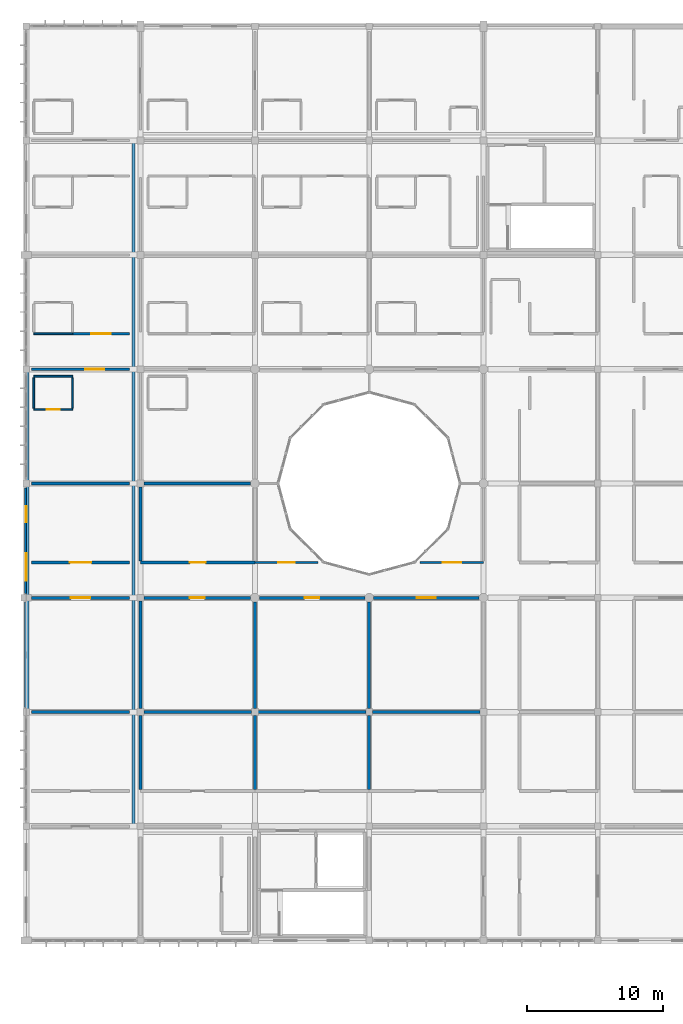
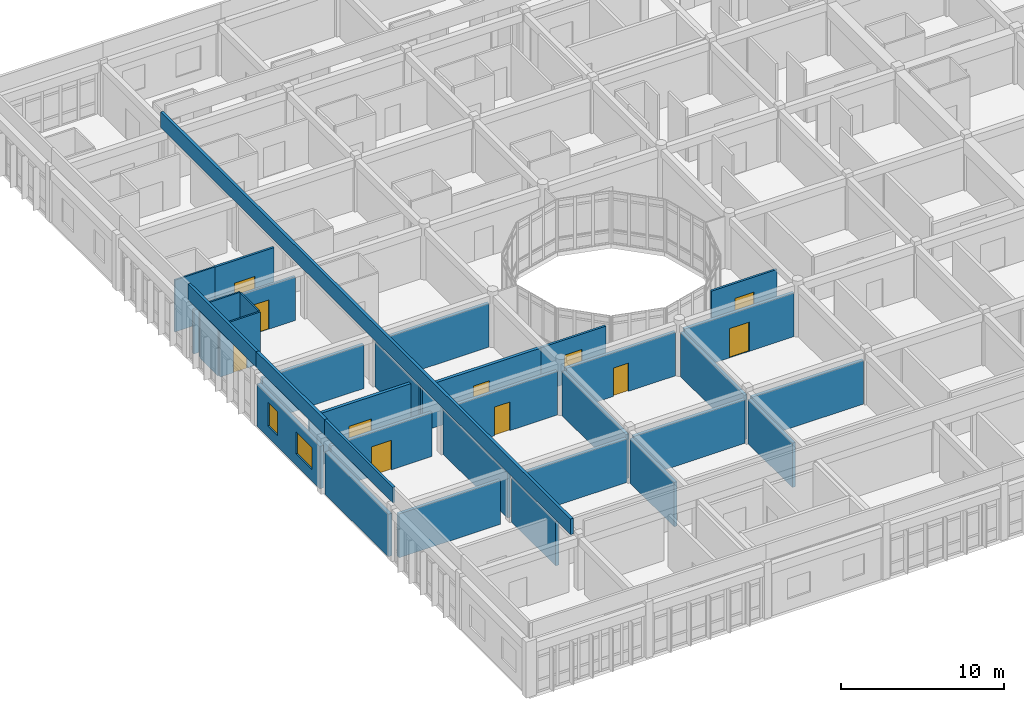
# One storey, part 83 of 119: 34 walls, 11 doors, 2 windows, 13 openings.
"""IFC4 building model written with IfcOpenShell, lengths in metres."""

from ifc_helpers import new_model, si_unit, direction, frame, frame_2d, origin, place, context, subcontext, project, spatial, rectangle, extrude, material, layer, layer_set, type_object, element, fill, save


model = new_model("IFC4")

# Units and contexts
model_context = context("Model", 3, precision=1e-05, world=origin(), true_north=direction((0.0, 1.0)))
body_context = subcontext(model_context, "Body", "Model", "MODEL_VIEW")
ifc_project = project(units=[si_unit("LENGTHUNIT", "METRE"), si_unit("AREAUNIT", "SQUARE_METRE"), si_unit("VOLUMEUNIT", "CUBIC_METRE"), si_unit("PLANEANGLEUNIT", "RADIAN"), si_unit("MASSUNIT", "GRAM", prefix="KILO")], contexts=[model_context])

# Site, building, storey
site_placement = place(None, origin())
site = spatial("IfcSite", under=ifc_project, at=site_placement, CompositionType="ELEMENT")
building_placement = place(site_placement, origin())
building = spatial("IfcBuilding", under=site, at=building_placement, Name="Bramfleet General Hospital", CompositionType="ELEMENT")
storey_placement = place(building_placement, frame((0.0, 0.0, 14.39990234375)))
storey = spatial("IfcBuildingStorey", under=building, at=storey_placement, Name="L03", CompositionType="ELEMENT", Elevation=14.39990234375)

# Wall
ifc_material_1 = material(Name="Precast concrete C40/50", Category="concrete")
ifc_layer_1 = layer(ifc_material_1, 0.280029296875, Name="WT-EW-06")
ifc_layer_set_1 = layer_set([ifc_layer_1], Name="Precast concrete C40/50")
wall_type_1 = type_object("IfcWallType", Name="WT-EW-06", PredefinedType="SOLIDWALL", material=ifc_layer_set_1)
wall_1_placement = place(storey_placement, frame((0.0, 67.52490234375, 0.0), z_axis=(0.0, 0.0, 1.0), x_axis=(0.0, 1.0, 0.0)))
element("IfcWall", 1, at=wall_1_placement, inside=storey, type_object=wall_type_1, Name="L03 Exterior Wall 235", PredefinedType="SOLIDWALL", context=body_context, shape_type="SweptSolid", body=[
    extrude(rectangle(XDim=7.75, YDim=0.280029296875, at=frame_2d((3.875, 0.0))), origin(), (0.0, 0.0, 1.0), 3.190185546875),
])

# Wall, openings, windows
ifc_layer_2 = layer(ifc_material_1, 0.264892578125, Name="WT-EW-07")
ifc_layer_set_2 = layer_set([ifc_layer_2], Name="Precast concrete C40/50")
wall_type_2 = type_object("IfcWallType", Name="WT-EW-07", PredefinedType="SOLIDWALL", material=ifc_layer_set_2)
wall_2_placement = place(storey_placement, frame((0.0, 75.925048828125, 0.0), z_axis=(0.0, 0.0, 1.0), x_axis=(0.0, 1.0, 0.0)))
wall_2 = element("IfcWall", 2, at=wall_2_placement, inside=storey, type_object=wall_type_2, Name="L03 Exterior Wall 236", PredefinedType="SOLIDWALL", context=body_context, shape_type="SweptSolid", body=[
    extrude(rectangle(XDim=7.75, YDim=0.264892578125, at=frame_2d((3.875, 0.0))), origin(), (0.0, 0.0, 1.0), 3.190185546875),
])
opening_1_placement = place(wall_2_placement, frame((0.9375, 0.0, 0.85009765625)))
opening_1 = element("IfcOpeningElement", 3, at=opening_1_placement, cuts=wall_2, Name="Opening W-40", PredefinedType="OPENING", context=body_context, shape_type="SweptSolid", body=[
    extrude(rectangle(XDim=2.0, YDim=1.659912109375, at=frame_2d((1.0, 0.830078125))), frame((0.0, 0.142333984375, 0.0), z_axis=(0.0, -1.0, 0.0), x_axis=(1.0, 0.0, 0.0)), (0.0, 0.0, 1.0), 0.284912109375),
])
opening_2_placement = place(wall_2_placement, frame((5.237548828125, 0.0, 0.85009765625)))
opening_2 = element("IfcOpeningElement", 4, at=opening_2_placement, cuts=wall_2, Name="Opening W-41", PredefinedType="OPENING", context=body_context, shape_type="SweptSolid", body=[
    extrude(rectangle(XDim=1.14990234375, YDim=1.780029296875, at=frame_2d((0.574951171875, 0.89013671875))), frame((0.0, 0.142333984375, 0.0), z_axis=(0.0, -1.0, 0.0), x_axis=(1.0, 0.0, 0.0)), (0.0, 0.0, 1.0), 0.284912109375),
])
ifc_material_2 = material(Name="Anodised aluminium and low-E triple glazing", Category="aluminium")
window_type_1 = type_object("IfcWindowType", Name="WIN-W-40", PartitioningType="SINGLE_PANEL", PredefinedType="WINDOW", material=ifc_material_2)
window_1_placement = place(opening_1_placement, origin())
window_1 = element("IfcWindow", 5, at=window_1_placement, inside=storey, type_object=window_type_1, Name="L03 Facade Window WIN-L03-236-1", OverallHeight=1.659912109375, OverallWidth=2.0, PartitioningType="SINGLE_PANEL", PredefinedType="WINDOW", context=body_context, shape_type="SweptSolid", body=[
    extrude(rectangle(XDim=2.0, YDim=1.659912109375, at=frame_2d((1.0, 0.830078125))), frame((0.0, 0.030029296875, 0.0), z_axis=(0.0, -1.0, 0.0), x_axis=(1.0, 0.0, 0.0)), (0.0, 0.0, 1.0), 0.06005859375),
])
fill(opening_1, window_1)
window_type_2 = type_object("IfcWindowType", Name="WIN-W-41", PartitioningType="SINGLE_PANEL", PredefinedType="WINDOW", material=ifc_material_2)
window_2_placement = place(opening_2_placement, origin())
window_2 = element("IfcWindow", 6, at=window_2_placement, inside=storey, type_object=window_type_2, Name="L03 Facade Window WIN-L03-236-2", OverallHeight=1.780029296875, OverallWidth=1.14990234375, PartitioningType="SINGLE_PANEL", PredefinedType="WINDOW", context=body_context, shape_type="SweptSolid", body=[
    extrude(rectangle(XDim=1.14990234375, YDim=1.780029296875, at=frame_2d((0.574951171875, 0.89013671875))), frame((0.0, 0.030029296875, 0.0), z_axis=(0.0, -1.0, 0.0), x_axis=(1.0, 0.0, 0.0)), (0.0, 0.0, 1.0), 0.06005859375),
])
fill(opening_2, window_2)

# Walls
ifc_material_3 = material(Name="Concrete C35/45", Category="concrete")
ifc_layer_3 = layer(ifc_material_3, 0.219970703125, Name="WT-IW-01")
ifc_layer_set_3 = layer_set([ifc_layer_3], Name="Concrete C35/45")
wall_type_3 = type_object("IfcWallType", Name="WT-IW-01", PredefinedType="PARTITIONING", material=ifc_layer_set_3)
wall_3_placement = place(storey_placement, frame((0.382568359375, 67.199951171875, 0.0), z_axis=(0.0, 0.0, 1.0), x_axis=(1.0, 0.0, 0.0)))
element("IfcWall", 7, at=wall_3_placement, inside=storey, type_object=wall_type_3, Name="L03 Interior Partition IW-L03-2567", PredefinedType="PARTITIONING", context=body_context, shape_type="SweptSolid", body=[
    extrude(rectangle(XDim=7.20751953125, YDim=0.219970703125, at=frame_2d((3.603759765625, 0.0))), origin(), (0.0, 0.0, 1.0), 3.2900390625),
])
wall_4_placement = place(storey_placement, frame((8.64501953125, 67.199951171875, 0.0), z_axis=(0.0, 0.0, 1.0), x_axis=(1.0, 0.0, 0.0)))
element("IfcWall", 8, at=wall_4_placement, inside=storey, type_object=wall_type_3, Name="L03 Interior Partition IW-L03-2568", PredefinedType="PARTITIONING", context=body_context, shape_type="SweptSolid", body=[
    extrude(rectangle(XDim=7.909912109375, YDim=0.219970703125, at=frame_2d((3.955078125, 0.0))), origin(), (0.0, 0.0, 1.0), 3.280029296875),
])
wall_5_placement = place(storey_placement, frame((17.044921875, 67.199951171875, 0.0), z_axis=(0.0, 0.0, 1.0), x_axis=(1.0, 0.0, 0.0)))
element("IfcWall", 9, at=wall_5_placement, inside=storey, type_object=wall_type_3, Name="L03 Interior Partition IW-L03-2569", PredefinedType="PARTITIONING", context=body_context, shape_type="SweptSolid", body=[
    extrude(rectangle(XDim=7.91015625, YDim=0.219970703125, at=frame_2d((3.955078125, 0.0))), origin(), (0.0, 0.0, 1.0), 3.280029296875),
])
wall_6_placement = place(storey_placement, frame((25.445068359375, 67.199951171875, 0.0), z_axis=(0.0, 0.0, 1.0), x_axis=(1.0, 0.0, 0.0)))
element("IfcWall", 10, at=wall_6_placement, inside=storey, type_object=wall_type_3, Name="L03 Interior Partition IW-L03-2570", PredefinedType="PARTITIONING", context=body_context, shape_type="SweptSolid", body=[
    extrude(rectangle(XDim=7.909912109375, YDim=0.219970703125, at=frame_2d((3.955078125, 0.0))), origin(), (0.0, 0.0, 1.0), 3.280029296875),
])

# Wall, opening, door
wall_7_placement = place(storey_placement, frame((0.389892578125, 75.60009765625, 0.0), z_axis=(0.0, 0.0, 1.0), x_axis=(1.0, 0.0, 0.0)))
wall_7 = element("IfcWall", 11, at=wall_7_placement, inside=storey, type_object=wall_type_3, Name="L03 Interior Partition IW-L03-2583", PredefinedType="PARTITIONING", context=body_context, shape_type="SweptSolid", body=[
    extrude(rectangle(XDim=7.2001953125, YDim=0.219970703125, at=frame_2d((3.60009765625, 0.0))), origin(), (0.0, 0.0, 1.0), 3.2900390625),
])
opening_3_placement = place(wall_7_placement, frame((2.889892578125, 0.0, 0.0)))
opening_3 = element("IfcOpeningElement", 12, at=opening_3_placement, cuts=wall_7, Name="Opening D1023", PredefinedType="OPENING", context=body_context, shape_type="SweptSolid", body=[
    extrude(rectangle(XDim=1.419921875, YDim=2.219970703125, at=frame_2d((0.7099609375, 1.10986328125))), frame((0.0, 0.119873046875, 0.0), z_axis=(0.0, -1.0, 0.0), x_axis=(1.0, 0.0, 0.0)), (0.0, 0.0, 1.0), 0.239990234375),
])
ifc_material_4 = material(Name="Stainless steel and acoustic timber leaf", Category="steel")
door_type_1 = type_object("IfcDoorType", Name="DR-D-31", OperationType="NOTDEFINED", PredefinedType="DOOR", material=ifc_material_4)
door_1_placement = place(opening_3_placement, origin())
door_1 = element("IfcDoor", 13, at=door_1_placement, inside=storey, type_object=door_type_1, Name="Surgical Air-Handling Plant Room L03-0008 Door D1023", OperationType="SINGLE_SWING_RIGHT", OverallHeight=2.219970703125, OverallWidth=1.419921875, PredefinedType="DOOR", context=body_context, shape_type="SweptSolid", body=[
    extrude(rectangle(XDim=1.419921875, YDim=2.219970703125, at=frame_2d((0.7099609375, 1.10986328125))), frame((0.0, 0.02490234375, 0.0), z_axis=(0.0, -1.0, 0.0), x_axis=(1.0, 0.0, 0.0)), (0.0, 0.0, 1.0), 0.050048828125),
])
fill(opening_3, door_1)

wall_8_placement = place(storey_placement, frame((8.64501953125, 75.60009765625, 0.0), z_axis=(0.0, 0.0, 1.0), x_axis=(1.0, 0.0, 0.0)))
wall_8 = element("IfcWall", 14, at=wall_8_placement, inside=storey, type_object=wall_type_3, Name="L03 Interior Partition IW-L03-2584", PredefinedType="PARTITIONING", context=body_context, shape_type="SweptSolid", body=[
    extrude(rectangle(XDim=7.8349609375, YDim=0.219970703125, at=frame_2d((3.91748046875, 0.0))), origin(), (0.0, 0.0, 1.0), 3.280029296875),
])
opening_4_placement = place(wall_8_placement, frame((3.367431640625, 0.0, 0.0)))
opening_4 = element("IfcOpeningElement", 15, at=opening_4_placement, cuts=wall_8, Name="Opening D1035", PredefinedType="OPENING", context=body_context, shape_type="SweptSolid", body=[
    extrude(rectangle(XDim=1.10009765625, YDim=2.14990234375, at=frame_2d((0.550048828125, 1.074951171875))), frame((0.0, 0.119873046875, 0.0), z_axis=(0.0, -1.0, 0.0), x_axis=(1.0, 0.0, 0.0)), (0.0, 0.0, 1.0), 0.239990234375),
])
door_type_2 = type_object("IfcDoorType", Name="DR-D-11", OperationType="NOTDEFINED", PredefinedType="DOOR", material=ifc_material_4)
door_2_placement = place(opening_4_placement, origin())
door_2 = element("IfcDoor", 16, at=door_2_placement, inside=storey, type_object=door_type_2, Name="Surgical Air-Handling Plant Room L03-0108 Door D1035", OperationType="SINGLE_SWING_RIGHT", OverallHeight=2.14990234375, OverallWidth=1.10009765625, PredefinedType="DOOR", context=body_context, shape_type="SweptSolid", body=[
    extrude(rectangle(XDim=1.10009765625, YDim=2.14990234375, at=frame_2d((0.550048828125, 1.074951171875))), frame((0.0, 0.02490234375, 0.0), z_axis=(0.0, -1.0, 0.0), x_axis=(1.0, 0.0, 0.0)), (0.0, 0.0, 1.0), 0.050048828125),
])
fill(opening_4, door_2)

wall_9_placement = place(storey_placement, frame((17.1201171875, 75.60009765625, 0.0), z_axis=(0.0, 0.0, 1.0), x_axis=(1.0, 0.0, 0.0)))
wall_9 = element("IfcWall", 17, at=wall_9_placement, inside=storey, type_object=wall_type_3, Name="L03 Interior Partition IW-L03-2585", PredefinedType="PARTITIONING", context=body_context, shape_type="SweptSolid", body=[
    extrude(rectangle(XDim=7.759765625, YDim=0.219970703125, at=frame_2d((3.8798828125, 0.0))), origin(), (0.0, 0.0, 1.0), 3.280029296875),
])
opening_5_placement = place(wall_9_placement, frame((3.340087890625, 0.0, 0.0)))
opening_5 = element("IfcOpeningElement", 18, at=opening_5_placement, cuts=wall_9, Name="Opening D1046", PredefinedType="OPENING", context=body_context, shape_type="SweptSolid", body=[
    extrude(rectangle(XDim=1.080078125, YDim=2.1201171875, at=frame_2d((0.5400390625, 1.06005859375))), frame((0.0, 0.119873046875, 0.0), z_axis=(0.0, -1.0, 0.0), x_axis=(1.0, 0.0, 0.0)), (0.0, 0.0, 1.0), 0.239990234375),
])
door_type_3 = type_object("IfcDoorType", Name="DR-D-22", OperationType="NOTDEFINED", PredefinedType="DOOR", material=ifc_material_4)
door_3_placement = place(opening_5_placement, origin())
door_3 = element("IfcDoor", 19, at=door_3_placement, inside=storey, type_object=door_type_3, Name="Surgical Air-Handling Plant Room L03-0208 Door D1046", OperationType="SINGLE_SWING_LEFT", OverallHeight=2.1201171875, OverallWidth=1.080078125, PredefinedType="DOOR", context=body_context, shape_type="SweptSolid", body=[
    extrude(rectangle(XDim=1.080078125, YDim=2.1201171875, at=frame_2d((0.5400390625, 1.06005859375))), frame((0.0, 0.02490234375, 0.0), z_axis=(0.0, -1.0, 0.0), x_axis=(1.0, 0.0, 0.0)), (0.0, 0.0, 1.0), 0.050048828125),
])
fill(opening_5, door_3)

wall_10_placement = place(storey_placement, frame((25.52001953125, 75.60009765625, 0.0), z_axis=(0.0, 0.0, 1.0), x_axis=(1.0, 0.0, 0.0)))
wall_10 = element("IfcWall", 20, at=wall_10_placement, inside=storey, type_object=wall_type_3, Name="L03 Interior Partition IW-L03-2586", PredefinedType="PARTITIONING", context=body_context, shape_type="SweptSolid", body=[
    extrude(rectangle(XDim=7.760009765625, YDim=0.219970703125, at=frame_2d((3.8798828125, 0.0))), origin(), (0.0, 0.0, 1.0), 3.280029296875),
])
opening_6_placement = place(wall_10_placement, frame((3.179931640625, 0.0, 0.0)))
opening_6 = element("IfcOpeningElement", 21, at=opening_6_placement, cuts=wall_10, Name="Opening D1057", PredefinedType="OPENING", context=body_context, shape_type="SweptSolid", body=[
    extrude(rectangle(XDim=1.39990234375, YDim=2.199951171875, at=frame_2d((0.699951171875, 1.10009765625))), frame((0.0, 0.119873046875, 0.0), z_axis=(0.0, -1.0, 0.0), x_axis=(1.0, 0.0, 0.0)), (0.0, 0.0, 1.0), 0.239990234375),
])
door_type_4 = type_object("IfcDoorType", Name="DR-D-01", OperationType="NOTDEFINED", PredefinedType="DOOR", material=ifc_material_4)
door_4_placement = place(opening_6_placement, origin())
door_4 = element("IfcDoor", 22, at=door_4_placement, inside=storey, type_object=door_type_4, Name="Surgical Air-Handling Plant Room L03-0308 Door D1057", OperationType="SINGLE_SWING_RIGHT", OverallHeight=2.199951171875, OverallWidth=1.39990234375, PredefinedType="DOOR", context=body_context, shape_type="SweptSolid", body=[
    extrude(rectangle(XDim=1.39990234375, YDim=2.199951171875, at=frame_2d((0.699951171875, 1.10009765625))), frame((0.0, 0.02490234375, 0.0), z_axis=(0.0, -1.0, 0.0), x_axis=(1.0, 0.0, 0.0)), (0.0, 0.0, 1.0), 0.050048828125),
])
fill(opening_6, door_4)

wall_11_placement = place(storey_placement, frame((0.389892578125, 78.199951171875, 0.0), z_axis=(0.0, 0.0, 1.0), x_axis=(1.0, 0.0, 0.0)))
wall_11 = element("IfcWall", 23, at=wall_11_placement, inside=storey, type_object=wall_type_3, Name="L03 Interior Partition IW-L03-2596", PredefinedType="PARTITIONING", context=body_context, shape_type="SweptSolid", body=[
    extrude(rectangle(XDim=7.2001953125, YDim=0.219970703125, at=frame_2d((3.60009765625, 0.0))), origin(), (0.0, 0.0, 1.0), 3.89013671875),
])
opening_7_placement = place(wall_11_placement, frame((2.81005859375, 0.0, 0.0)))
opening_7 = element("IfcOpeningElement", 24, at=opening_7_placement, cuts=wall_11, Name="Opening D1024", PredefinedType="OPENING", context=body_context, shape_type="SweptSolid", body=[
    extrude(rectangle(XDim=1.580078125, YDim=2.219970703125, at=frame_2d((0.7900390625, 1.10986328125))), frame((0.0, 0.119873046875, 0.0), z_axis=(0.0, -1.0, 0.0), x_axis=(1.0, 0.0, 0.0)), (0.0, 0.0, 1.0), 0.239990234375),
])
door_type_5 = type_object("IfcDoorType", Name="DR-D-32", OperationType="NOTDEFINED", PredefinedType="DOOR", material=ifc_material_4)
door_5_placement = place(opening_7_placement, origin())
door_5 = element("IfcDoor", 25, at=door_5_placement, inside=storey, type_object=door_type_5, Name="Surgical Air-Handling Plant Room L03-0009 Door D1024", OperationType="DOUBLE_SWING_LEFT", OverallHeight=2.219970703125, OverallWidth=1.580078125, PredefinedType="DOOR", context=body_context, shape_type="SweptSolid", body=[
    extrude(rectangle(XDim=1.580078125, YDim=2.219970703125, at=frame_2d((0.7900390625, 1.10986328125))), frame((0.0, 0.02490234375, 0.0), z_axis=(0.0, -1.0, 0.0), x_axis=(1.0, 0.0, 0.0)), (0.0, 0.0, 1.0), 0.050048828125),
])
fill(opening_7, door_5)

wall_12_placement = place(storey_placement, frame((8.39990234375, 78.199951171875, 0.0), z_axis=(0.0, 0.0, 1.0), x_axis=(1.0, 0.0, 0.0)))
wall_12 = element("IfcWall", 26, at=wall_12_placement, inside=storey, type_object=wall_type_3, Name="L03 Interior Partition IW-L03-2597", PredefinedType="PARTITIONING", context=body_context, shape_type="SweptSolid", body=[
    extrude(rectangle(XDim=8.400146484375, YDim=0.219970703125, at=frame_2d((4.2001953125, 0.0))), origin(), (0.0, 0.0, 1.0), 3.330078125),
])
opening_8_placement = place(wall_12_placement, frame((3.625, 0.0, 0.0)))
opening_8 = element("IfcOpeningElement", 27, at=opening_8_placement, cuts=wall_12, Name="Opening D1036", PredefinedType="OPENING", context=body_context, shape_type="SweptSolid", body=[
    extrude(rectangle(XDim=1.14990234375, YDim=2.14990234375, at=frame_2d((0.574951171875, 1.074951171875))), frame((0.0, 0.119873046875, 0.0), z_axis=(0.0, -1.0, 0.0), x_axis=(1.0, 0.0, 0.0)), (0.0, 0.0, 1.0), 0.239990234375),
])
door_type_6 = type_object("IfcDoorType", Name="DR-D-12", OperationType="NOTDEFINED", PredefinedType="DOOR", material=ifc_material_4)
door_6_placement = place(opening_8_placement, origin())
door_6 = element("IfcDoor", 28, at=door_6_placement, inside=storey, type_object=door_type_6, Name="Surgical Air-Handling Plant Room L03-0109 Door D1036", OperationType="SINGLE_SWING_LEFT", OverallHeight=2.14990234375, OverallWidth=1.14990234375, PredefinedType="DOOR", context=body_context, shape_type="SweptSolid", body=[
    extrude(rectangle(XDim=1.14990234375, YDim=2.14990234375, at=frame_2d((0.574951171875, 1.074951171875))), frame((0.0, 0.02490234375, 0.0), z_axis=(0.0, -1.0, 0.0), x_axis=(1.0, 0.0, 0.0)), (0.0, 0.0, 1.0), 0.050048828125),
])
fill(opening_8, door_6)

# Walls
wall_13_placement = place(storey_placement, frame((0.389892578125, 84.0, 0.0), z_axis=(0.0, 0.0, 1.0), x_axis=(1.0, 0.0, 0.0)))
element("IfcWall", 29, at=wall_13_placement, inside=storey, type_object=wall_type_3, Name="L03 Interior Partition IW-L03-2613", PredefinedType="PARTITIONING", context=body_context, shape_type="SweptSolid", body=[
    extrude(rectangle(XDim=7.2001953125, YDim=0.219970703125, at=frame_2d((3.60009765625, 0.0))), origin(), (0.0, 0.0, 1.0), 3.2900390625),
])
wall_14_placement = place(storey_placement, frame((8.64501953125, 84.0, 0.0), z_axis=(0.0, 0.0, 1.0), x_axis=(1.0, 0.0, 0.0)))
element("IfcWall", 30, at=wall_14_placement, inside=storey, type_object=wall_type_3, Name="L03 Interior Partition IW-L03-2614", PredefinedType="PARTITIONING", context=body_context, shape_type="SweptSolid", body=[
    extrude(rectangle(XDim=7.8349609375, YDim=0.219970703125, at=frame_2d((3.91748046875, 0.0))), origin(), (0.0, 0.0, 1.0), 3.280029296875),
])
wall_15_placement = place(storey_placement, frame((8.39990234375, 61.514892578125, 0.0), z_axis=(0.0, 0.0, 1.0), x_axis=(0.0, 1.0, 0.0)))
element("IfcWall", 31, at=wall_15_placement, inside=storey, type_object=wall_type_3, Name="L03 Interior Partition IW-L03-2774", PredefinedType="PARTITIONING", context=body_context, shape_type="SweptSolid", body=[
    extrude(rectangle(XDim=5.440185546875, YDim=0.219970703125, at=frame_2d((2.72021484375, 0.0))), origin(), (0.0, 0.0, 1.0), 3.330078125),
])
wall_16_placement = place(storey_placement, frame((8.39990234375, 67.445068359375, 0.0), z_axis=(0.0, 0.0, 1.0), x_axis=(0.0, 1.0, 0.0)))
element("IfcWall", 32, at=wall_16_placement, inside=storey, type_object=wall_type_3, Name="L03 Interior Partition IW-L03-2775", PredefinedType="PARTITIONING", context=body_context, shape_type="SweptSolid", body=[
    extrude(rectangle(XDim=7.909912109375, YDim=0.219970703125, at=frame_2d((3.955078125, 0.0))), origin(), (0.0, 0.0, 1.0), 3.330078125),
])
wall_17_placement = place(storey_placement, frame((8.39990234375, 78.31494140625, 0.0), z_axis=(0.0, 0.0, 1.0), x_axis=(0.0, 1.0, 0.0)))
element("IfcWall", 33, at=wall_17_placement, inside=storey, type_object=wall_type_3, Name="L03 Interior Partition IW-L03-2776", PredefinedType="PARTITIONING", context=body_context, shape_type="SweptSolid", body=[
    extrude(rectangle(XDim=5.43994140625, YDim=0.219970703125, at=frame_2d((2.719970703125, 0.0))), origin(), (0.0, 0.0, 1.0), 3.330078125),
])
wall_18_placement = place(storey_placement, frame((16.800048828125, 61.514892578125, 0.0), z_axis=(0.0, 0.0, 1.0), x_axis=(0.0, 1.0, 0.0)))
element("IfcWall", 34, at=wall_18_placement, inside=storey, type_object=wall_type_3, Name="L03 Interior Partition IW-L03-2792", PredefinedType="PARTITIONING", context=body_context, shape_type="SweptSolid", body=[
    extrude(rectangle(XDim=5.440185546875, YDim=0.219970703125, at=frame_2d((2.72021484375, 0.0))), origin(), (0.0, 0.0, 1.0), 3.330078125),
])
wall_19_placement = place(storey_placement, frame((16.800048828125, 67.445068359375, 0.0), z_axis=(0.0, 0.0, 1.0), x_axis=(0.0, 1.0, 0.0)))
element("IfcWall", 35, at=wall_19_placement, inside=storey, type_object=wall_type_3, Name="L03 Interior Partition IW-L03-2793", PredefinedType="PARTITIONING", context=body_context, shape_type="SweptSolid", body=[
    extrude(rectangle(XDim=7.8349609375, YDim=0.219970703125, at=frame_2d((3.91748046875, 0.0))), origin(), (0.0, 0.0, 1.0), 3.330078125),
])
wall_20_placement = place(storey_placement, frame((25.199951171875, 61.514892578125, 0.0), z_axis=(0.0, 0.0, 1.0), x_axis=(0.0, 1.0, 0.0)))
element("IfcWall", 36, at=wall_20_placement, inside=storey, type_object=wall_type_3, Name="L03 Interior Partition IW-L03-2806", PredefinedType="PARTITIONING", context=body_context, shape_type="SweptSolid", body=[
    extrude(rectangle(XDim=5.440185546875, YDim=0.219970703125, at=frame_2d((2.72021484375, 0.0))), origin(), (0.0, 0.0, 1.0), 3.330078125),
])
wall_21_placement = place(storey_placement, frame((25.199951171875, 67.445068359375, 0.0), z_axis=(0.0, 0.0, 1.0), x_axis=(0.0, 1.0, 0.0)))
element("IfcWall", 37, at=wall_21_placement, inside=storey, type_object=wall_type_3, Name="L03 Interior Partition IW-L03-2807", PredefinedType="PARTITIONING", context=body_context, shape_type="SweptSolid", body=[
    extrude(rectangle(XDim=7.8349609375, YDim=0.219970703125, at=frame_2d((3.91748046875, 0.0))), origin(), (0.0, 0.0, 1.0), 3.330078125),
])

# Wall, opening, door
ifc_material_5 = material(Name="Gypsum plasterboard on acoustic steel studs", Category="steel")
ifc_layer_4 = layer(ifc_material_5, 0.159912109375, Name="WT-IW-06")
ifc_layer_set_4 = layer_set([ifc_layer_4], Name="Gypsum plasterboard on acoustic steel studs")
wall_type_4 = type_object("IfcWallType", Name="WT-IW-06", PredefinedType="PARTITIONING", material=ifc_layer_set_4)
wall_22_placement = place(storey_placement, frame((16.800048828125, 78.199951171875, 0.0), z_axis=(0.0, 0.0, 1.0), x_axis=(1.0, 0.0, 0.0)))
wall_22 = element("IfcWall", 38, at=wall_22_placement, inside=storey, type_object=wall_type_4, Name="L03 Interior Partition IW-L03-2598", PredefinedType="PARTITIONING", context=body_context, shape_type="SweptSolid", body=[
    extrude(rectangle(XDim=4.65185546875, YDim=0.159912109375, at=frame_2d((2.325927734375, 0.0))), origin(), (0.0, 0.0, 1.0), 3.330078125),
])
opening_9_placement = place(wall_22_placement, frame((1.716064453125, 0.0, 0.0)))
opening_9 = element("IfcOpeningElement", 39, at=opening_9_placement, cuts=wall_22, Name="Opening D1047", PredefinedType="OPENING", context=body_context, shape_type="SweptSolid", body=[
    extrude(rectangle(XDim=1.219970703125, YDim=2.179931640625, at=frame_2d((0.60986328125, 1.08984375))), frame((0.0, 0.08984375, 0.0), z_axis=(0.0, -1.0, 0.0), x_axis=(1.0, 0.0, 0.0)), (0.0, 0.0, 1.0), 0.179931640625),
])
door_type_7 = type_object("IfcDoorType", Name="DR-D-23", OperationType="NOTDEFINED", PredefinedType="DOOR", material=ifc_material_4)
door_7_placement = place(opening_9_placement, origin())
door_7 = element("IfcDoor", 40, at=door_7_placement, inside=storey, type_object=door_type_7, Name="Courtyard Waiting Lounge L03-0209 Door D1047", OperationType="SINGLE_SWING_RIGHT", OverallHeight=2.179931640625, OverallWidth=1.219970703125, PredefinedType="DOOR", context=body_context, shape_type="SweptSolid", body=[
    extrude(rectangle(XDim=1.219970703125, YDim=2.179931640625, at=frame_2d((0.60986328125, 1.08984375))), frame((0.0, 0.02490234375, 0.0), z_axis=(0.0, -1.0, 0.0), x_axis=(1.0, 0.0, 0.0)), (0.0, 0.0, 1.0), 0.050048828125),
])
fill(opening_9, door_7)

wall_23_placement = place(storey_placement, frame((0.382568359375, 92.39990234375, 0.0), z_axis=(0.0, 0.0, 1.0), x_axis=(1.0, 0.0, 0.0)))
wall_23 = element("IfcWall", 41, at=wall_23_placement, inside=storey, type_object=wall_type_4, Name="L03 Interior Partition IW-L03-2638", PredefinedType="PARTITIONING", context=body_context, shape_type="SweptSolid", body=[
    extrude(rectangle(XDim=7.20751953125, YDim=0.159912109375, at=frame_2d((3.603759765625, 0.0))), origin(), (0.0, 0.0, 1.0), 3.2900390625),
])
opening_10_placement = place(wall_23_placement, frame((3.948974609375, 0.0, 0.0)))
opening_10 = element("IfcOpeningElement", 42, at=opening_10_placement, cuts=wall_23, Name="Opening D1025", PredefinedType="OPENING", context=body_context, shape_type="SweptSolid", body=[
    extrude(rectangle(XDim=1.39990234375, YDim=2.199951171875, at=frame_2d((0.699951171875, 1.10009765625))), frame((0.0, 0.08984375, 0.0), z_axis=(0.0, -1.0, 0.0), x_axis=(1.0, 0.0, 0.0)), (0.0, 0.0, 1.0), 0.179931640625),
])
door_8_placement = place(opening_10_placement, origin())
door_8 = element("IfcDoor", 43, at=door_8_placement, inside=storey, type_object=door_type_4, Name="Neonatal Intensive Care Ward L03-0010 Door D1025", OperationType="SINGLE_SWING_RIGHT", OverallHeight=2.199951171875, OverallWidth=1.39990234375, PredefinedType="DOOR", context=body_context, shape_type="SweptSolid", body=[
    extrude(rectangle(XDim=1.39990234375, YDim=2.199951171875, at=frame_2d((0.699951171875, 1.10009765625))), frame((0.0, 0.02490234375, 0.0), z_axis=(0.0, -1.0, 0.0), x_axis=(1.0, 0.0, 0.0)), (0.0, 0.0, 1.0), 0.050048828125),
])
fill(opening_10, door_8)

wall_24_placement = place(storey_placement, frame((3.39990234375, 95.0, 0.0), z_axis=(0.0, 0.0, 1.0), x_axis=(1.0, 0.0, 0.0)))
wall_24 = element("IfcWall", 44, at=wall_24_placement, inside=storey, type_object=wall_type_4, Name="L03 Interior Partition IW-L03-2659", PredefinedType="PARTITIONING", context=body_context, shape_type="SweptSolid", body=[
    extrude(rectangle(XDim=4.190185546875, YDim=0.159912109375, at=frame_2d((2.09521484375, 0.0))), origin(), (0.0, 0.0, 1.0), 3.89013671875),
])
opening_11_placement = place(wall_24_placement, frame((1.3701171875, 0.0, 0.0)))
opening_11 = element("IfcOpeningElement", 45, at=opening_11_placement, cuts=wall_24, Name="Opening D1027", PredefinedType="OPENING", context=body_context, shape_type="SweptSolid", body=[
    extrude(rectangle(XDim=1.449951171875, YDim=2.199951171875, at=frame_2d((0.72509765625, 1.10009765625))), frame((0.0, 0.08984375, 0.0), z_axis=(0.0, -1.0, 0.0), x_axis=(1.0, 0.0, 0.0)), (0.0, 0.0, 1.0), 0.179931640625),
])
door_type_8 = type_object("IfcDoorType", Name="DR-D-03", OperationType="NOTDEFINED", PredefinedType="DOOR", material=ifc_material_4)
door_9_placement = place(opening_11_placement, origin())
door_9 = element("IfcDoor", 46, at=door_9_placement, inside=storey, type_object=door_type_8, Name="Neonatal Intensive Care Ward L03-0011 Door D1027", OperationType="SINGLE_SWING_RIGHT", OverallHeight=2.199951171875, OverallWidth=1.449951171875, PredefinedType="DOOR", context=body_context, shape_type="SweptSolid", body=[
    extrude(rectangle(XDim=1.449951171875, YDim=2.199951171875, at=frame_2d((0.72509765625, 1.10009765625))), frame((0.0, 0.02490234375, 0.0), z_axis=(0.0, -1.0, 0.0), x_axis=(1.0, 0.0, 0.0)), (0.0, 0.0, 1.0), 0.050048828125),
])
fill(opening_11, door_9)

ifc_layer_5 = layer(ifc_material_5, 0.14990234375, Name="WT-IW-07")
ifc_layer_set_5 = layer_set([ifc_layer_5], Name="Gypsum plasterboard on acoustic steel studs")
wall_type_5 = type_object("IfcWallType", Name="WT-IW-07", PredefinedType="PARTITIONING", material=ifc_layer_set_5)
wall_25_placement = place(storey_placement, frame((28.947998046875, 78.199951171875, 0.0), z_axis=(0.0, 0.0, 1.0), x_axis=(1.0, 0.0, 0.0)))
wall_25 = element("IfcWall", 47, at=wall_25_placement, inside=storey, type_object=wall_type_5, Name="L03 Interior Partition IW-L03-2599", PredefinedType="PARTITIONING", context=body_context, shape_type="SweptSolid", body=[
    extrude(rectangle(XDim=4.652099609375, YDim=0.14990234375, at=frame_2d((2.326171875, 0.0))), origin(), (0.0, 0.0, 1.0), 3.330078125),
])
opening_12_placement = place(wall_25_placement, frame((1.65087890625, 0.0, 0.0)))
opening_12 = element("IfcOpeningElement", 48, at=opening_12_placement, cuts=wall_25, Name="Opening D1058", PredefinedType="OPENING", context=body_context, shape_type="SweptSolid", body=[
    extrude(rectangle(XDim=1.35009765625, YDim=2.199951171875, at=frame_2d((0.675048828125, 1.10009765625))), frame((0.0, 0.0849609375, 0.0), z_axis=(0.0, -1.0, 0.0), x_axis=(1.0, 0.0, 0.0)), (0.0, 0.0, 1.0), 0.169921875),
])
door_type_9 = type_object("IfcDoorType", Name="DR-D-02", OperationType="NOTDEFINED", PredefinedType="DOOR", material=ifc_material_4)
door_10_placement = place(opening_12_placement, origin())
door_10 = element("IfcDoor", 49, at=door_10_placement, inside=storey, type_object=door_type_9, Name="Courtyard Waiting Lounge L03-0309 Door D1058", OperationType="SINGLE_SWING_LEFT", OverallHeight=2.199951171875, OverallWidth=1.35009765625, PredefinedType="DOOR", context=body_context, shape_type="SweptSolid", body=[
    extrude(rectangle(XDim=1.35009765625, YDim=2.199951171875, at=frame_2d((0.675048828125, 1.10009765625))), frame((0.0, 0.02490234375, 0.0), z_axis=(0.0, -1.0, 0.0), x_axis=(1.0, 0.0, 0.0)), (0.0, 0.0, 1.0), 0.050048828125),
])
fill(opening_12, door_10)

ifc_layer_6 = layer(ifc_material_5, 0.1201171875, Name="WT-IW-10")
ifc_layer_set_6 = layer_set([ifc_layer_6], Name="Gypsum plasterboard on acoustic steel studs")
wall_type_6 = type_object("IfcWallType", Name="WT-IW-10", PredefinedType="PARTITIONING", material=ifc_layer_set_6)
wall_26_placement = place(storey_placement, frame((0.550048828125, 89.429931640625, 0.0), z_axis=(0.0, 0.0, 1.0), x_axis=(1.0, 0.0, 0.0)))
wall_26 = element("IfcWall", 50, at=wall_26_placement, inside=storey, type_object=wall_type_6, Name="L03 Interior Partition IW-L03-2632", PredefinedType="PARTITIONING", context=body_context, shape_type="SweptSolid", body=[
    extrude(rectangle(XDim=2.849853515625, YDim=0.1201171875, at=frame_2d((1.4248046875, 0.0))), origin(), (0.0, 0.0, 1.0), 3.89013671875),
])
opening_13_placement = place(wall_26_placement, frame((0.949951171875, 0.0, 0.0)))
opening_13 = element("IfcOpeningElement", 51, at=opening_13_placement, cuts=wall_26, Name="Opening D1026", PredefinedType="OPENING", context=body_context, shape_type="SweptSolid", body=[
    extrude(rectangle(XDim=0.949951171875, YDim=2.10009765625, at=frame_2d((0.47509765625, 1.050048828125))), frame((0.0, 0.070068359375, 0.0), z_axis=(0.0, -1.0, 0.0), x_axis=(1.0, 0.0, 0.0)), (0.0, 0.0, 1.0), 0.14013671875),
])
door_type_10 = type_object("IfcDoorType", Name="DR-D-10", OperationType="NOTDEFINED", PredefinedType="DOOR", material=ifc_material_4)
door_11_placement = place(opening_13_placement, origin())
door_11 = element("IfcDoor", 52, at=door_11_placement, inside=storey, type_object=door_type_10, Name="Neonatal Family En-Suite WC L03-0010 Door D1026", OperationType="SINGLE_SWING_LEFT", OverallHeight=2.10009765625, OverallWidth=0.949951171875, PredefinedType="DOOR", context=body_context, shape_type="SweptSolid", body=[
    extrude(rectangle(XDim=0.949951171875, YDim=2.10009765625, at=frame_2d((0.47509765625, 1.050048828125))), frame((0.0, 0.02490234375, 0.0), z_axis=(0.0, -1.0, 0.0), x_axis=(1.0, 0.0, 0.0)), (0.0, 0.0, 1.0), 0.050048828125),
])
fill(opening_13, door_11)

# Walls
for number, where, z_axis, x_axis, name in (
    (53, (0.550048828125, 91.8798828125, 0.0), (0.0, 0.0, 1.0), (1.0, 0.0, 0.0), "L03 Interior Partition IW-L03-2635"),
    (54, (0.550048828125, 95.0, 0.0), (0.0, 0.0, 1.0), (1.0, 0.0, 0.0), "L03 Interior Partition IW-L03-2658"),
):
    element("IfcWall", number, at=place(storey_placement, frame(where, z_axis=z_axis, x_axis=x_axis)), inside=storey, type_object=wall_type_6, Name=name, PredefinedType="PARTITIONING", context=body_context, shape_type="SweptSolid", body=[
        extrude(rectangle(XDim=2.849853515625, YDim=0.1201171875, at=frame_2d((1.4248046875, 0.0))), origin(), (0.0, 0.0, 1.0), 3.89013671875),
    ])
for number, where, z_axis, x_axis, name in (
    (55, (0.550048828125, 89.544921875, 0.0), (0.0, 0.0, 1.0), (0.0, 1.0, 0.0), "L03 Interior Partition IW-L03-2765"),
    (56, (3.39990234375, 89.544921875, 0.0), (0.0, 0.0, 1.0), (0.0, 1.0, 0.0), "L03 Interior Partition IW-L03-2769"),
):
    element("IfcWall", number, at=place(storey_placement, frame(where, z_axis=z_axis, x_axis=x_axis)), inside=storey, type_object=wall_type_6, Name=name, PredefinedType="PARTITIONING", context=body_context, shape_type="SweptSolid", body=[
        extrude(rectangle(XDim=2.219970703125, YDim=0.1201171875, at=frame_2d((1.10986328125, 0.0))), origin(), (0.0, 0.0, 1.0), 3.89013671875),
    ])
ifc_layer_7 = layer(ifc_material_1, 0.199951171875, Name="WT-PW-01")
ifc_layer_set_7 = layer_set([ifc_layer_7], Name="Precast concrete C40/50")
wall_type_7 = type_object("IfcWallType", Name="WT-PW-01", PredefinedType="PARAPET", material=ifc_layer_set_7)
wall_27_placement = place(storey_placement, frame((7.8701171875, 109.199951171875, 4.18017578125), z_axis=(0.0, 0.0, 1.0), x_axis=(0.0, -1.0, 0.0)))
element("IfcWall", 57, at=wall_27_placement, inside=storey, type_object=wall_type_7, Name="Roof Parapet Wall 61", PredefinedType="PARAPET", context=body_context, shape_type="SweptSolid", body=[
    extrude(rectangle(XDim=50.39990234375, YDim=0.199951171875, at=frame_2d((25.199951171875, 0.0))), origin(), (0.0, 0.0, 1.0), 1.169921875),
])
wall_28_placement = place(storey_placement, frame((0.110107421875, 75.60009765625, 4.18017578125), z_axis=(0.0, 0.0, 1.0), x_axis=(0.0, 1.0, 0.0)))
element("IfcWall", 58, at=wall_28_placement, inside=storey, type_object=wall_type_7, Name="Roof Parapet Wall 73", PredefinedType="PARAPET", context=body_context, shape_type="SweptSolid", body=[
    extrude(rectangle(XDim=8.39990234375, YDim=0.199951171875, at=frame_2d((4.199951171875, 0.0))), origin(), (0.0, 0.0, 1.0), 1.169921875),
])
ifc_layer_8 = layer(ifc_material_1, 0.18505859375, Name="WT-PW-02")
ifc_layer_set_8 = layer_set([ifc_layer_8], Name="Precast concrete C40/50")
wall_type_8 = type_object("IfcWallType", Name="WT-PW-02", PredefinedType="PARAPET", material=ifc_layer_set_8)
wall_29_placement = place(storey_placement, frame((0.1025390625, 84.0, 4.18017578125), z_axis=(0.0, 0.0, 1.0), x_axis=(0.0, 1.0, 0.0)))
element("IfcWall", 59, at=wall_29_placement, inside=storey, type_object=wall_type_8, Name="Roof Parapet Wall 74", PredefinedType="PARAPET", context=body_context, shape_type="SweptSolid", body=[
    extrude(rectangle(XDim=8.39990234375, YDim=0.18505859375, at=frame_2d((4.199951171875, 0.0))), origin(), (0.0, 0.0, 1.0), 1.169921875),
])
ifc_layer_9 = layer(ifc_material_1, 0.169921875, Name="WT-PW-03")
ifc_layer_set_9 = layer_set([ifc_layer_9], Name="Precast concrete C40/50")
wall_type_9 = type_object("IfcWallType", Name="WT-PW-03", PredefinedType="PARAPET", material=ifc_layer_set_9)
wall_30_placement = place(storey_placement, frame((0.094970703125, 67.199951171875, 4.18017578125), z_axis=(0.0, 0.0, 1.0), x_axis=(0.0, 1.0, 0.0)))
element("IfcWall", 60, at=wall_30_placement, inside=storey, type_object=wall_type_9, Name="Roof Parapet Wall 72", PredefinedType="PARAPET", context=body_context, shape_type="SweptSolid", body=[
    extrude(rectangle(XDim=8.400146484375, YDim=0.169921875, at=frame_2d((4.2001953125, 0.0))), origin(), (0.0, 0.0, 1.0), 1.169921875),
])

save(model, "model.ifc")
